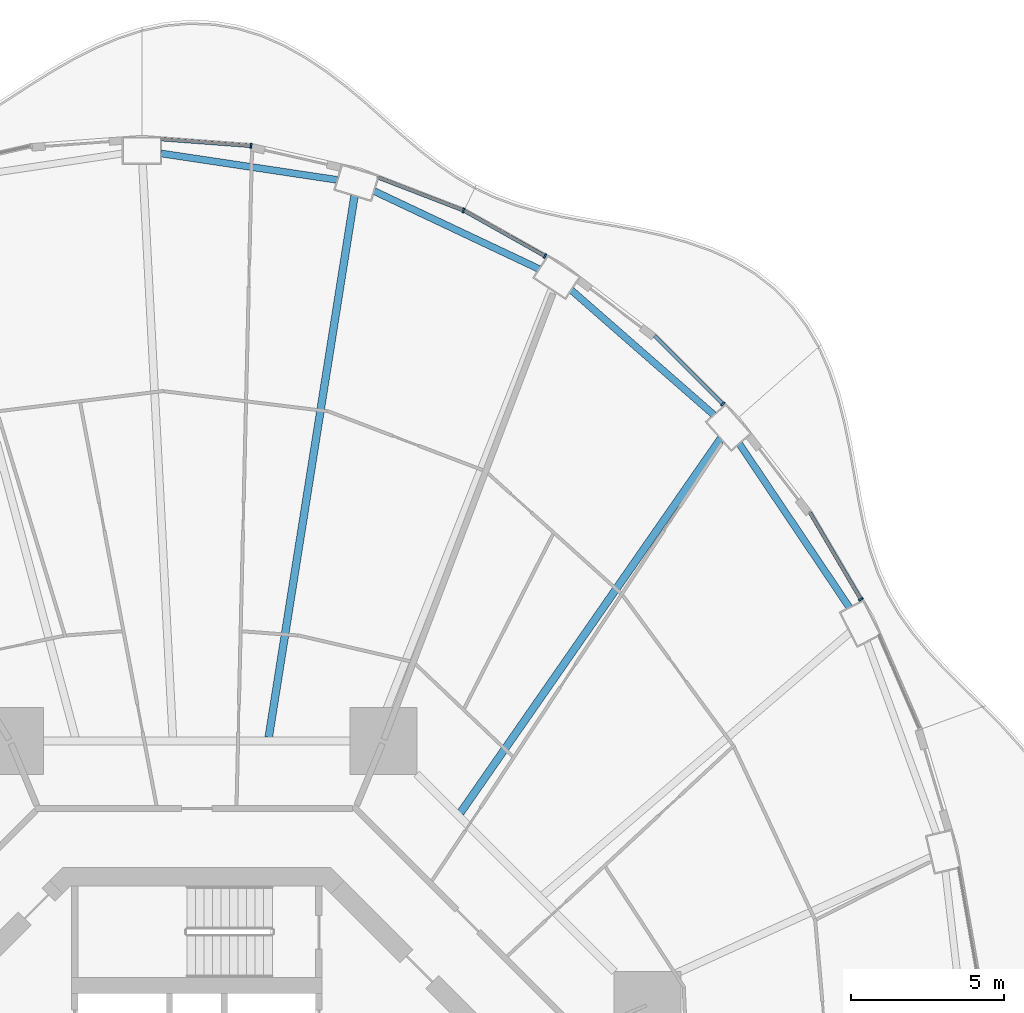
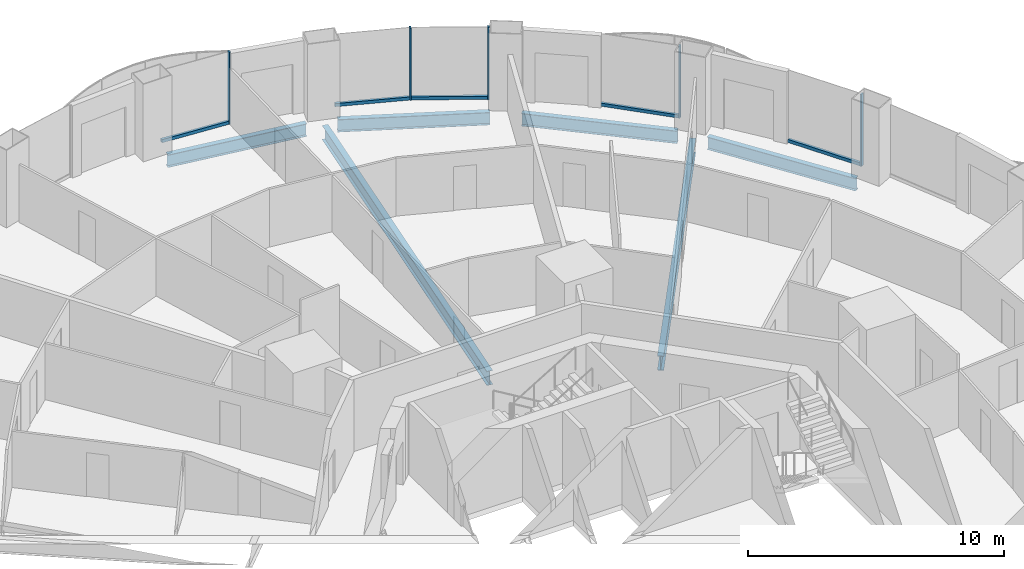
# One storey, part 11 of 22: 10 members, 6 beams, 5 elements without a shape of their own.
"""IFC4 building model written with IfcOpenShell, lengths in metres."""

from ifc_helpers import new_model, si_unit, direction, frame, origin, origin_2d, place, context, subcontext, project, spatial, rectangle, i_section, extrude, material, layer, layer_set, material_profile, profile_set, type_object, element, aggregate, save


model = new_model("IFC4")

# Units and contexts
model_context = context("Model", 3, precision=1e-05, world=origin(), true_north=direction((0.0, 1.0)))
body_context = subcontext(model_context, "Body", "Model", "MODEL_VIEW")
ifc_project = project(units=[si_unit("LENGTHUNIT", "METRE"), si_unit("AREAUNIT", "SQUARE_METRE"), si_unit("VOLUMEUNIT", "CUBIC_METRE"), si_unit("PLANEANGLEUNIT", "RADIAN"), si_unit("MASSUNIT", "GRAM", prefix="KILO")], contexts=[model_context])

# Site, building, storey
site_placement = place(None, origin())
site = spatial("IfcSite", under=ifc_project, at=site_placement, CompositionType="ELEMENT")
building_placement = place(site_placement, origin())
building = spatial("IfcBuilding", under=site, at=building_placement, Name="Nagisa Residences", CompositionType="ELEMENT")
storey_placement = place(building_placement, frame((0.0, 0.0, 99.199951171875)))
storey = spatial("IfcBuildingStorey", under=building, at=storey_placement, Name="L24", CompositionType="ELEMENT", Elevation=99.199951171875)

# Curtain wall, member
ifc_material_1 = material(Name="Concrete-coloured aluminium curtain wall system", Category="concrete")
ifc_layer = layer(ifc_material_1, 0.159912109375)
ifc_layer_set = layer_set([ifc_layer], Name="CW1 CURTAIN WALL")
curtain_wall_type = type_object("IfcCurtainWallType", Name="CW1 CURTAIN WALL", PredefinedType="NOTDEFINED", material=ifc_layer_set)
curtain_wall_1_placement = place(storey_placement, origin())
curtain_wall_1 = element("IfcCurtainWall", 1, at=curtain_wall_1_placement, inside=storey, type_object=curtain_wall_type, Name="cw:CW1:L24:04", PredefinedType="NOTDEFINED")
ifc_material_2 = material(Name="Concrete-coloured aluminium", Category="concrete")
ifc_material_profile_1 = material_profile(ifc_material_2, rectangle(XDim=0.159912109375, YDim=0.06005859375, at=origin_2d()), Name="CW1 MULLION 160x60")
ifc_profile_set_1 = profile_set([ifc_material_profile_1], Name="Concrete-coloured aluminium")
member_type_1 = type_object("IfcMemberType", Name="CW1 MULLION 160x60", PredefinedType="MULLION", material=ifc_profile_set_1)
member_1_placement = place(storey_placement, frame((21.771240234375, 19.421142578125, 0.0), z_axis=(0.0, 0.0, 1.0), x_axis=(-0.862328898214, -0.506348567002, 0.0)))
member_1 = element("IfcMember", 2, at=member_1_placement, type_object=member_type_1, Name="CW1 mullion", PredefinedType="MULLION", context=body_context, shape_type="SweptSolid", body=[
    extrude(rectangle(XDim=0.159912109375, YDim=0.06005859375, at=origin_2d()), origin(), (0.0, 0.0, 1.0), 3.43994140625),
])

curtain_wall_2_placement = place(storey_placement, origin())
curtain_wall_2 = element("IfcCurtainWall", 3, at=curtain_wall_2_placement, inside=storey, type_object=curtain_wall_type, Name="cw:CW1:L24:06", PredefinedType="NOTDEFINED")
member_2_placement = place(storey_placement, frame((17.24560546875, 25.825927734375, 0.0), z_axis=(0.0, 0.0, 1.0), x_axis=(-0.706376885714, -0.707835924016, 0.0)))
member_2 = element("IfcMember", 4, at=member_2_placement, type_object=member_type_1, Name="CW1 mullion", PredefinedType="MULLION", context=body_context, shape_type="SweptSolid", body=[
    extrude(rectangle(XDim=0.159912109375, YDim=0.06005859375, at=origin_2d()), origin(), (0.0, 0.0, 1.0), 3.43994140625),
])

curtain_wall_3_placement = place(storey_placement, origin())
curtain_wall_3 = element("IfcCurtainWall", 5, at=curtain_wall_3_placement, inside=storey, type_object=curtain_wall_type, Name="cw:CW1:L24:08", PredefinedType="NOTDEFINED")
member_3_placement = place(storey_placement, frame((11.415283203125, 30.673583984375, 0.0), z_axis=(0.0, 0.0, 1.0), x_axis=(-0.489376918501, -0.872072377523, 0.0)))
member_3 = element("IfcMember", 6, at=member_3_placement, type_object=member_type_1, Name="CW1 mullion", PredefinedType="MULLION", context=body_context, shape_type="SweptSolid", body=[
    extrude(rectangle(XDim=0.159912109375, YDim=0.06005859375, at=origin_2d()), origin(), (0.0, 0.0, 1.0), 3.43994140625),
])

curtain_wall_4_placement = place(storey_placement, origin())
curtain_wall_4 = element("IfcCurtainWall", 7, at=curtain_wall_4_placement, inside=storey, type_object=curtain_wall_type, Name="cw:CW1:L24:09", PredefinedType="NOTDEFINED")
member_4_placement = place(storey_placement, frame((8.74169921875, 32.169921875, 0.0), z_axis=(0.0, 0.0, 1.0), x_axis=(-0.360327770268, -0.932825759707, 0.0)))
member_4 = element("IfcMember", 8, at=member_4_placement, type_object=member_type_1, Name="CW1 mullion", PredefinedType="MULLION", context=body_context, shape_type="SweptSolid", body=[
    extrude(rectangle(XDim=0.159912109375, YDim=0.06005859375, at=origin_2d()), origin(), (0.0, 0.0, 1.0), 3.43994140625),
])

curtain_wall_5_placement = place(storey_placement, origin())
curtain_wall_5 = element("IfcCurtainWall", 9, at=curtain_wall_5_placement, inside=storey, type_object=curtain_wall_type, Name="cw:CW1:L24:11", PredefinedType="NOTDEFINED")
member_5_placement = place(storey_placement, frame((1.779052734375, 34.28564453125, 0.0), z_axis=(0.0, 0.0, 1.0), x_axis=(-0.074377355493, -0.997230168512, 0.0)))
member_5 = element("IfcMember", 10, at=member_5_placement, type_object=member_type_1, Name="CW1 mullion", PredefinedType="MULLION", context=body_context, shape_type="SweptSolid", body=[
    extrude(rectangle(XDim=0.159912109375, YDim=0.06005859375, at=origin_2d()), origin(), (0.0, 0.0, 1.0), 3.43994140625),
])

# Member
ifc_material_3 = material(Name="Concrete-coloured aluminium", Category="concrete")
ifc_material_profile_2 = material_profile(ifc_material_3, rectangle(XDim=0.1201171875, YDim=0.14990234375, at=origin_2d()), Name="CW1 TRANSOM 120x150")
ifc_profile_set_2 = profile_set([ifc_material_profile_2], Name="Concrete-coloured aluminium")
member_type_2 = type_object("IfcMemberType", Name="CW1 TRANSOM 120x150", PredefinedType="USERDEFINED", material=ifc_profile_set_2)
member_6_placement = place(storey_placement, frame((21.786376953125, 19.395263671875, 0.074951171875), z_axis=(-0.506329983076, 0.86233981019, 0.0), x_axis=(-0.86233981019, -0.506329983076, 0.0)))
member_6 = element("IfcMember", 11, at=member_6_placement, type_object=member_type_2, Name="CW1 transom", ObjectType="TRANSOM", PredefinedType="USERDEFINED", context=body_context, shape_type="SweptSolid", body=[
    extrude(rectangle(XDim=0.1201171875, YDim=0.14990234375, at=origin_2d()), origin(), (0.0, 0.0, 1.0), 3.32470703125),
])

aggregate(curtain_wall_1, [member_1, member_6])

member_7_placement = place(storey_placement, frame((17.2666015625, 25.8046875, 0.074951171875), z_axis=(-0.707831724839, 0.70638109354, 0.0), x_axis=(-0.70638109354, -0.707831724839, 0.0)))
member_7 = element("IfcMember", 12, at=member_7_placement, type_object=member_type_2, Name="CW1 transom", ObjectType="TRANSOM", PredefinedType="USERDEFINED", context=body_context, shape_type="SweptSolid", body=[
    extrude(rectangle(XDim=0.1201171875, YDim=0.14990234375, at=origin_2d()), origin(), (0.0, 0.0, 1.0), 3.19775390625),
])

aggregate(curtain_wall_2, [member_2, member_7])

member_8_placement = place(storey_placement, frame((11.44140625, 30.65869140625, 0.074951171875), z_axis=(-0.872037280335, 0.489439456631, 0.0), x_axis=(-0.489439456631, -0.872037280335, 0.0)))
member_8 = element("IfcMember", 13, at=member_8_placement, type_object=member_type_2, Name="CW1 transom", ObjectType="TRANSOM", PredefinedType="USERDEFINED", context=body_context, shape_type="SweptSolid", body=[
    extrude(rectangle(XDim=0.1201171875, YDim=0.14990234375, at=origin_2d()), origin(), (0.0, 0.0, 1.0), 3.07568359375),
])

aggregate(curtain_wall_3, [member_3, member_8])

member_9_placement = place(storey_placement, frame((8.76953125, 32.1591796875, 0.074951171875), z_axis=(-0.932827091302, 0.360324322982, 0.0), x_axis=(-0.360324322982, -0.932827091302, 0.0)))
member_9 = element("IfcMember", 14, at=member_9_placement, type_object=member_type_2, Name="CW1 transom", ObjectType="TRANSOM", PredefinedType="USERDEFINED", context=body_context, shape_type="SweptSolid", body=[
    extrude(rectangle(XDim=0.1201171875, YDim=0.14990234375, at=origin_2d()), origin(), (0.0, 0.0, 1.0), 3.02734375),
])

aggregate(curtain_wall_4, [member_4, member_9])

member_10_placement = place(storey_placement, frame((1.80908203125, 34.283203125, 0.074951171875), z_axis=(-0.997226174467, 0.074430887117, 0.0), x_axis=(-0.074430887117, -0.997226174467, 0.0)))
member_10 = element("IfcMember", 15, at=member_10_placement, type_object=member_type_2, Name="CW1 transom", ObjectType="TRANSOM", PredefinedType="USERDEFINED", context=body_context, shape_type="SweptSolid", body=[
    extrude(rectangle(XDim=0.1201171875, YDim=0.14990234375, at=origin_2d()), origin(), (0.0, 0.0, 1.0), 2.97509765625),
])

aggregate(curtain_wall_5, [member_5, member_10])

# Beams
ifc_material_4 = material(Name="Steel ASTM A572 Gr 50", Category="steel")
ifc_material_profile_3 = material_profile(ifc_material_4, i_section(OverallWidth=0.22802734375, OverallDepth=0.60302734375, WebThickness=0.010498046875, FlangeThickness=0.014892578125, at=origin_2d()), Name="W610x101")
ifc_profile_set_3 = profile_set([ifc_material_profile_3], Name="Steel ASTM A572 Gr 50")
beam_type_1 = type_object("IfcBeamType", Name="Perimeter ring beam W610x101", PredefinedType="BEAM", material=ifc_profile_set_3)
beam_1_placement = place(storey_placement, frame((21.397216796875, 19.152099609375, -0.5615234375), z_axis=(-0.55824704812, 0.829674775599, 0.0), x_axis=(-0.829674775599, -0.55824704812, 0.0)))
element("IfcBeam", 16, at=beam_1_placement, inside=storey, type_object=beam_type_1, Name="beam:L24:pb03", PredefinedType="BEAM", context=body_context, shape_type="SweptSolid", body=[
    extrude(i_section(OverallWidth=0.22802734375, OverallDepth=0.60302734375, WebThickness=0.010498046875, FlangeThickness=0.014892578125, at=origin_2d()), origin(), (0.0, 0.0, 1.0), 6.4716796875),
])
beam_2_placement = place(storey_placement, frame((16.951416015625, 25.46728515625, -0.5615234375), z_axis=(-0.752525569707, 0.658563031863, 0.0), x_axis=(-0.658563031863, -0.752525569707, 0.0)))
element("IfcBeam", 17, at=beam_2_placement, inside=storey, type_object=beam_type_1, Name="beam:L24:pb04", PredefinedType="BEAM", context=body_context, shape_type="SweptSolid", body=[
    extrude(i_section(OverallWidth=0.22802734375, OverallDepth=0.60302734375, WebThickness=0.010498046875, FlangeThickness=0.014892578125, at=origin_2d()), origin(), (0.0, 0.0, 1.0), 6.21240234375),
])
beam_3_placement = place(storey_placement, frame((11.22216796875, 30.249267578125, -0.5615234375), z_axis=(-0.904196975776, 0.427115709144, 0.0), x_axis=(-0.427115709144, -0.904196975776, 0.0)))
element("IfcBeam", 18, at=beam_3_placement, inside=storey, type_object=beam_type_1, Name="beam:L24:pb05", PredefinedType="BEAM", context=body_context, shape_type="SweptSolid", body=[
    extrude(i_section(OverallWidth=0.22802734375, OverallDepth=0.60302734375, WebThickness=0.010498046875, FlangeThickness=0.014892578125, at=origin_2d()), origin(), (0.0, 0.0, 1.0), 5.980712890625),
])
beam_4_placement = place(storey_placement, frame((4.608642578125, 33.17041015625, -0.5615234375), z_axis=(-0.988913048607, 0.148495731568, 0.0), x_axis=(-0.148495731568, -0.988913048607, 0.0)))
element("IfcBeam", 19, at=beam_4_placement, inside=storey, type_object=beam_type_1, Name="beam:L24:pb06", PredefinedType="BEAM", context=body_context, shape_type="SweptSolid", body=[
    extrude(i_section(OverallWidth=0.22802734375, OverallDepth=0.60302734375, WebThickness=0.010498046875, FlangeThickness=0.014892578125, at=origin_2d()), origin(), (0.0, 0.0, 1.0), 5.843017578125),
])
ifc_material_5 = material(Name="Steel ASTM A572 Gr 50", Category="steel")
ifc_material_profile_4 = material_profile(ifc_material_5, i_section(OverallWidth=0.2529296875, OverallDepth=0.677978515625, WebThickness=0.01171875, FlangeThickness=0.016357421875, at=origin_2d()), Name="W690x125")
ifc_profile_set_4 = profile_set([ifc_material_profile_4], Name="Steel ASTM A572 Gr 50")
beam_type_2 = type_object("IfcBeamType", Name="Radial beam W690x125", PredefinedType="BEAM", material=ifc_profile_set_4)
beam_5_placement = place(storey_placement, frame((17.176513671875, 24.6845703125, -0.598876953125), z_axis=(-0.571167903467, -0.820833251062, 0.0), x_axis=(0.820833251062, -0.571167903467, 0.0)))
element("IfcBeam", 20, at=beam_5_placement, inside=storey, type_object=beam_type_2, Name="beam:L24:rb04", PredefinedType="BEAM", context=body_context, shape_type="SweptSolid", body=[
    extrude(i_section(OverallWidth=0.2529296875, OverallDepth=0.677978515625, WebThickness=0.01171875, FlangeThickness=0.016357421875, at=origin_2d()), origin(), (0.0, 0.0, 1.0), 14.93994140625),
])
beam_6_placement = place(storey_placement, frame((5.170654296875, 32.64697265625, -0.598876953125), z_axis=(-0.156426410961, -0.987689616202, 0.0), x_axis=(0.987689616202, -0.156426410961, 0.0)))
element("IfcBeam", 21, at=beam_6_placement, inside=storey, type_object=beam_type_2, Name="beam:L24:rb06", PredefinedType="BEAM", context=body_context, shape_type="SweptSolid", body=[
    extrude(i_section(OverallWidth=0.2529296875, OverallDepth=0.677978515625, WebThickness=0.01171875, FlangeThickness=0.016357421875, at=origin_2d()), origin(), (0.0, 0.0, 1.0), 17.973388671875),
])

save(model, "model.ifc")
